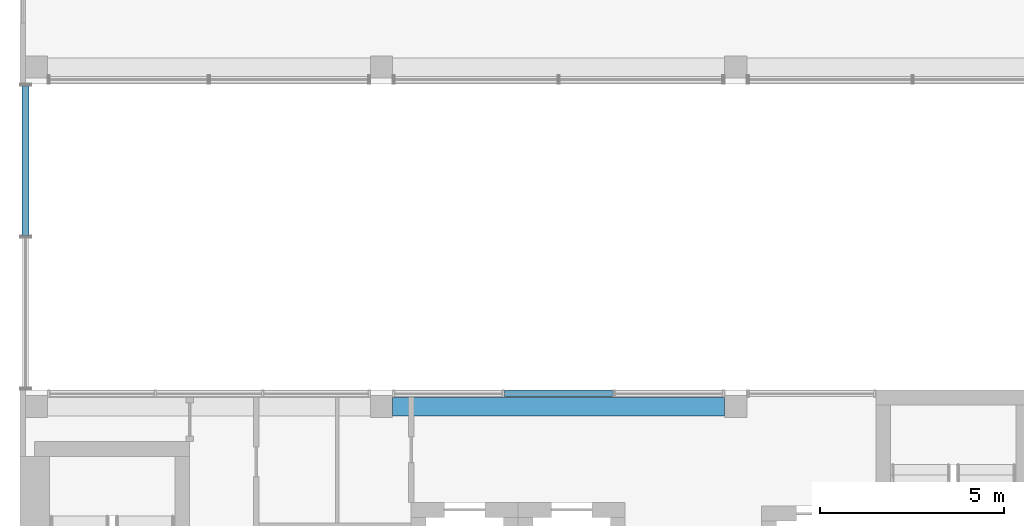
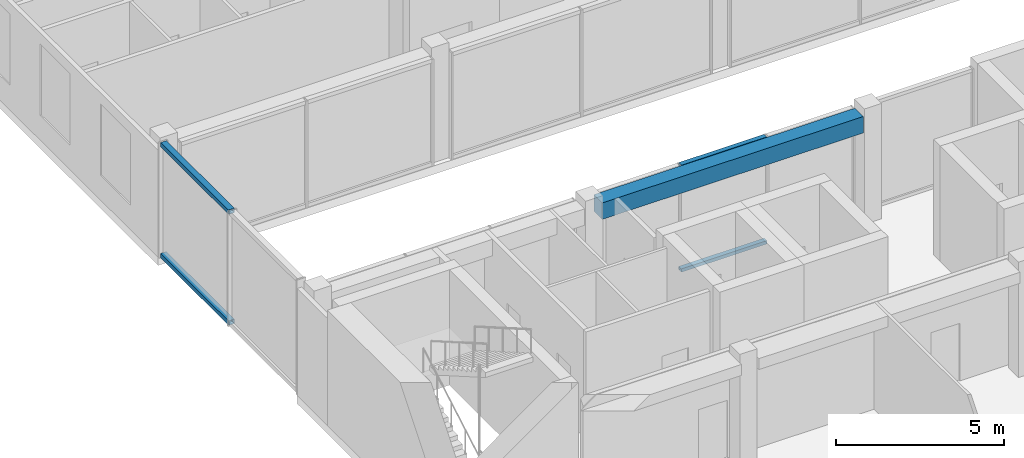
# One storey, part 7 of 28: 4 members, 1 beam, 2 elements without a shape of their own.
"""IFC4 building model written with IfcOpenShell, lengths in metres."""

from ifc_helpers import new_model, si_unit, direction, frame, origin, origin_2d, place, context, subcontext, project, spatial, rectangle, hollow_rectangle, extrude, material, layer, layer_set, material_profile, profile_set, type_object, element, aggregate, save


model = new_model("IFC4")

# Units and contexts
model_context = context("Model", 3, precision=1e-05, world=origin(), true_north=direction((0.0, 1.0)))
body_context = subcontext(model_context, "Body", "Model", "MODEL_VIEW")
ifc_project = project(units=[si_unit("LENGTHUNIT", "METRE"), si_unit("AREAUNIT", "SQUARE_METRE"), si_unit("VOLUMEUNIT", "CUBIC_METRE"), si_unit("PLANEANGLEUNIT", "RADIAN"), si_unit("MASSUNIT", "GRAM", prefix="KILO")], contexts=[model_context])

# Site, building, storey
site_placement = place(None, origin())
site = spatial("IfcSite", under=ifc_project, at=site_placement, CompositionType="ELEMENT")
building_placement = place(site_placement, origin())
building = spatial("IfcBuilding", under=site, at=building_placement, Name="Nzadi Deep Aquarium and Research Tower", CompositionType="ELEMENT")
storey_placement = place(building_placement, frame((0.0, 0.0, 73.89990234375)))
storey = spatial("IfcBuildingStorey", under=building, at=storey_placement, Name="L15", CompositionType="ELEMENT", Elevation=73.89990234375)

# Beam
ifc_material_1 = material(Name="Concrete C35/45", Category="concrete")
ifc_material_profile_1 = material_profile(ifc_material_1, rectangle(XDim=0.5, YDim=0.60009765625, at=origin_2d()))
ifc_profile_set_1 = profile_set([ifc_material_profile_1], Name="Concrete C35/45")
beam_type = type_object("IfcBeamType", Name="RC 500x600", PredefinedType="BEAM", material=ifc_profile_set_1)
beam_placement = place(storey_placement, frame((9.89990234375, 18.39990234375, 3.60009765625), z_axis=(1.0, 0.0, 0.0), x_axis=(0.0, 1.0, 0.0)))
element("IfcBeam", 1, at=beam_placement, inside=storey, type_object=beam_type, Name="B-Z1-L15-L3-2", PredefinedType="BEAM", context=body_context, shape_type="SweptSolid", body=[
    extrude(rectangle(XDim=0.5, YDim=0.60009765625, at=origin_2d()), origin(), (0.0, 0.0, 1.0), 9.0),
])

# Curtain wall, members
ifc_material_2 = material(Name="Aluminium unitised frame", Category="aluminium")
ifc_layer_1 = layer(ifc_material_2, 0.199951171875)
ifc_layer_set_1 = layer_set([ifc_layer_1], Name="Aluminium unitised frame")
curtain_wall_type_1 = type_object("IfcCurtainWallType", Name="Curtain wall Unitised 200", PredefinedType="NOTDEFINED", material=ifc_layer_set_1)
curtain_wall_1_placement = place(storey_placement, origin())
curtain_wall_1 = element("IfcCurtainWall", 2, at=curtain_wall_1_placement, inside=storey, type_object=curtain_wall_type_1, Name="Unitised curtain wall blade A north L15", PredefinedType="NOTDEFINED")
ifc_material_3 = material(Name="Aluminium unitised frame", Category="aluminium")
ifc_material_profile_2 = material_profile(ifc_material_3, hollow_rectangle(XDim=0.159912109375, YDim=0.1201171875, WallThickness=0.0048828125, at=origin_2d()))
ifc_profile_set_2 = profile_set([ifc_material_profile_2], Name="Aluminium unitised frame")
member_type_1 = type_object("IfcMemberType", Name="Transom 120x160 Unitised", PredefinedType="MULLION", material=ifc_profile_set_2)
member_1_placement = place(storey_placement, frame((12.929931640625, 18.75, 0.06005859375), z_axis=(1.0, 0.0, 0.0), x_axis=(0.0, 1.0, 0.0)))
member_1 = element("IfcMember", 3, at=member_1_placement, type_object=member_type_1, Name="CW071 transom 2.1", PredefinedType="MULLION", context=body_context, shape_type="SweptSolid", body=[
    extrude(hollow_rectangle(XDim=0.159912109375, YDim=0.1201171875, WallThickness=0.0048828125, at=origin_2d()), origin(), (0.0, 0.0, 1.0), 2.940185546875),
])
member_2_placement = place(storey_placement, frame((12.929931640625, 18.75, 3.840087890625), z_axis=(1.0, 0.0, 0.0), x_axis=(0.0, 1.0, 0.0)))
member_2 = element("IfcMember", 4, at=member_2_placement, type_object=member_type_1, Name="CW071 transom 2.2", PredefinedType="MULLION", context=body_context, shape_type="SweptSolid", body=[
    extrude(hollow_rectangle(XDim=0.159912109375, YDim=0.1201171875, WallThickness=0.0048828125, at=origin_2d()), origin(), (0.0, 0.0, 1.0), 2.940185546875),
])
aggregate(curtain_wall_1, [member_1, member_2])

ifc_material_4 = material(Name="Aluminium unitised frame wind post", Category="aluminium")
ifc_layer_2 = layer(ifc_material_4, 0.300048828125)
ifc_layer_set_2 = layer_set([ifc_layer_2], Name="Aluminium unitised frame wind post")
curtain_wall_type_2 = type_object("IfcCurtainWallType", Name="Curtain wall Slot End 300", PredefinedType="NOTDEFINED", material=ifc_layer_set_2)
curtain_wall_2_placement = place(storey_placement, origin())
curtain_wall_2 = element("IfcCurtainWall", 5, at=curtain_wall_2_placement, inside=storey, type_object=curtain_wall_type_2, Name="Glazed slot end west L15", PredefinedType="NOTDEFINED")
ifc_material_5 = material(Name="Aluminium unitised frame wind post", Category="aluminium")
ifc_material_profile_3 = material_profile(ifc_material_5, hollow_rectangle(XDim=0.199951171875, YDim=0.159912109375, WallThickness=0.0048828125, at=origin_2d()))
ifc_profile_set_3 = profile_set([ifc_material_profile_3], Name="Aluminium unitised frame wind post")
member_type_2 = type_object("IfcMemberType", Name="Transom 160x200 Slot End", PredefinedType="MULLION", material=ifc_profile_set_3)
member_3_placement = place(storey_placement, frame((-0.050048828125, 23.030029296875, 0.080078125), z_axis=(0.0, 1.0, 0.0), x_axis=(-1.0, 0.0, 0.0)))
member_3 = element("IfcMember", 6, at=member_3_placement, type_object=member_type_2, Name="CW221 transom 2.1", PredefinedType="MULLION", context=body_context, shape_type="SweptSolid", body=[
    extrude(hollow_rectangle(XDim=0.199951171875, YDim=0.159912109375, WallThickness=0.0048828125, at=origin_2d()), origin(), (0.0, 0.0, 1.0), 4.06005859375),
])
member_4_placement = place(storey_placement, frame((-0.050048828125, 23.030029296875, 4.1201171875), z_axis=(0.0, 1.0, 0.0), x_axis=(-1.0, 0.0, 0.0)))
member_4 = element("IfcMember", 7, at=member_4_placement, type_object=member_type_2, Name="CW221 transom 2.2", PredefinedType="MULLION", context=body_context, shape_type="SweptSolid", body=[
    extrude(hollow_rectangle(XDim=0.199951171875, YDim=0.159912109375, WallThickness=0.0048828125, at=origin_2d()), origin(), (0.0, 0.0, 1.0), 4.06005859375),
])
aggregate(curtain_wall_2, [member_3, member_4])

save(model, "model.ifc")
